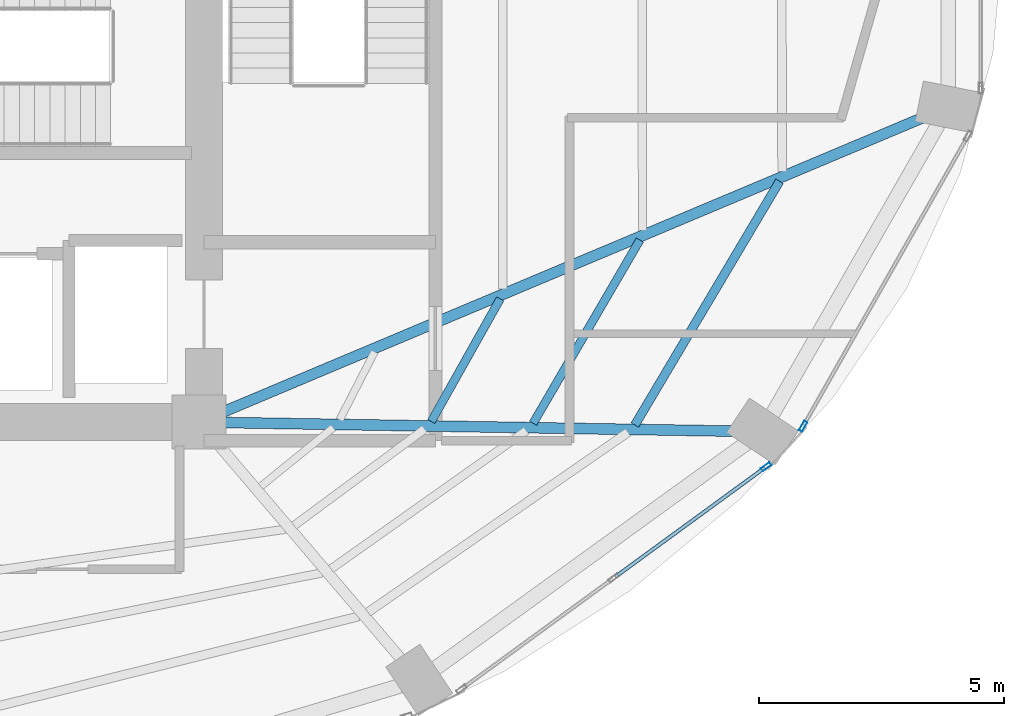
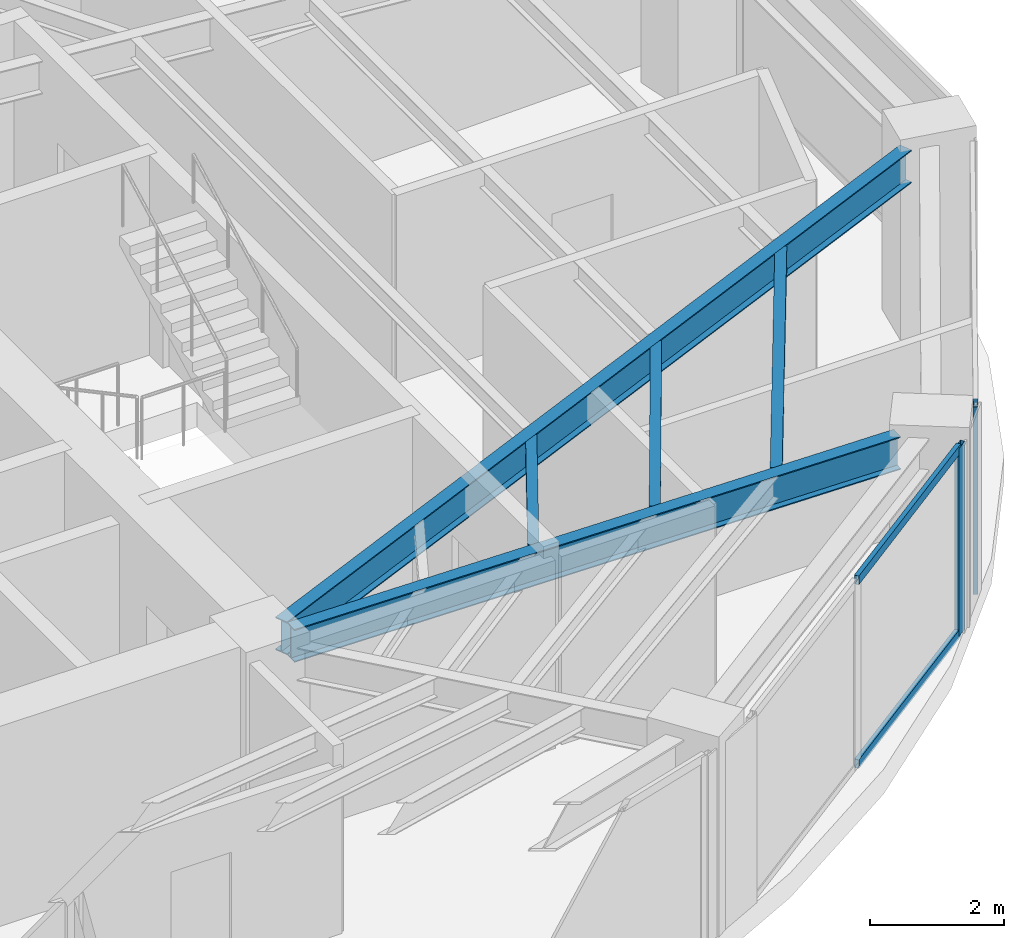
# One storey, part 11 of 23: 5 beams, 4 members, 2 elements without a shape of their own.
"""IFC4 building model written with IfcOpenShell, lengths in metres."""

from ifc_helpers import new_model, si_unit, direction, frame, origin, origin_2d, place, context, subcontext, project, spatial, hollow_rectangle, i_section, extrude, material, layer, layer_set, material_profile, profile_set, type_object, element, aggregate, save


model = new_model("IFC4")

# Units and contexts
model_context = context("Model", 3, precision=1e-05, world=origin(), true_north=direction((0.0, 1.0)))
body_context = subcontext(model_context, "Body", "Model", "MODEL_VIEW")
ifc_project = project(units=[si_unit("LENGTHUNIT", "METRE"), si_unit("AREAUNIT", "SQUARE_METRE"), si_unit("VOLUMEUNIT", "CUBIC_METRE"), si_unit("PLANEANGLEUNIT", "RADIAN"), si_unit("MASSUNIT", "GRAM", prefix="KILO")], contexts=[model_context])

# Site, building, storey
site_placement = place(None, origin())
site = spatial("IfcSite", under=ifc_project, at=site_placement, CompositionType="ELEMENT")
building_placement = place(site_placement, origin())
building = spatial("IfcBuilding", under=site, at=building_placement, Name="Lazwardi Medical Tower", CompositionType="ELEMENT")
storey_placement = place(building_placement, frame((0.0, 0.0, 81.743896484375)))
storey = spatial("IfcBuildingStorey", under=building, at=storey_placement, Name="L20", CompositionType="ELEMENT", Elevation=81.743896484375)

# Beams
ifc_material_1 = material(Name="Steel S355", Category="steel")
ifc_material_profile_1 = material_profile(ifc_material_1, i_section(OverallWidth=0.219970703125, OverallDepth=0.60009765625, WebThickness=0.011962890625, FlangeThickness=0.01904296875, at=origin_2d()), Name="IPE 600")
ifc_profile_set_1 = profile_set([ifc_material_profile_1], Name="Steel S355")
beam_type_1 = type_object("IfcBeamType", Name="BM-RG-W1", PredefinedType="BEAM", material=ifc_profile_set_1)
beam_1_placement = place(storey_placement, frame((56.497802734375, 20.215087890625, 3.128173828125), z_axis=(-0.99985616395, 0.016960289263, 0.0), x_axis=(-0.016960289263, -0.99985616395, 0.0)))
element("IfcBeam", 1, at=beam_1_placement, inside=storey, type_object=beam_type_1, Name="Radial girder RG-02 R03 L20", PredefinedType="BEAM", context=body_context, shape_type="SweptSolid", body=[
    extrude(i_section(OverallWidth=0.219970703125, OverallDepth=0.60009765625, WebThickness=0.011962890625, FlangeThickness=0.01904296875, at=origin_2d()), origin(), (0.0, 0.0, 1.0), 10.3642578125),
])
beam_2_placement = place(storey_placement, frame((60.328369140625, 26.59521484375, 3.128173828125), z_axis=(-0.921775176005, -0.38772480563, 0.0), x_axis=(0.38772480563, -0.921775176005, 0.0)))
element("IfcBeam", 2, at=beam_2_placement, inside=storey, type_object=beam_type_1, Name="Radial girder RG-02 R04 L20", PredefinedType="BEAM", context=body_context, shape_type="SweptSolid", body=[
    extrude(i_section(OverallWidth=0.219970703125, OverallDepth=0.60009765625, WebThickness=0.011962890625, FlangeThickness=0.01904296875, at=origin_2d()), origin(), (0.0, 0.0, 1.0), 15.443359375),
])
ifc_material_profile_2 = material_profile(ifc_material_1, i_section(OverallWidth=0.179931640625, OverallDepth=0.39990234375, WebThickness=0.008544921875, FlangeThickness=0.013427734375, at=origin_2d()), Name="IPE 400")
ifc_profile_set_2 = profile_set([ifc_material_profile_2], Name="Steel S355")
beam_type_2 = type_object("IfcBeamType", Name="BM-SJ-01", PredefinedType="JOIST", material=ifc_profile_set_2)
beam_3_placement = place(storey_placement, frame((54.47900390625, 20.340576171875, 3.22802734375), z_axis=(0.510499691073, 0.859877936346, 0.0), x_axis=(-0.859877936346, 0.510499691073, 0.0)))
element("IfcBeam", 3, at=beam_3_placement, inside=storey, type_object=beam_type_2, Name="Secondary joist SJ-01 R1 B03 L20", PredefinedType="JOIST", context=body_context, shape_type="SweptSolid", body=[
    extrude(i_section(OverallWidth=0.179931640625, OverallDepth=0.39990234375, WebThickness=0.008544921875, FlangeThickness=0.013427734375, at=origin_2d()), origin(), (0.0, 0.0, 1.0), 5.776123046875),
])
ifc_material_profile_3 = material_profile(ifc_material_1, i_section(OverallWidth=0.169921875, OverallDepth=0.360107421875, WebThickness=0.008056640625, FlangeThickness=0.0126953125, at=origin_2d()), Name="IPE 360")
ifc_profile_set_3 = profile_set([ifc_material_profile_3], Name="Steel S355")
beam_type_3 = type_object("IfcBeamType", Name="BM-SJ-02", PredefinedType="JOIST", material=ifc_profile_set_3)
beam_4_placement = place(storey_placement, frame((52.405517578125, 20.376220703125, 3.248046875), z_axis=(0.503544274258, 0.86396942299, 0.0), x_axis=(-0.86396942299, 0.503544274258, 0.0)))
element("IfcBeam", 4, at=beam_4_placement, inside=storey, type_object=beam_type_3, Name="Secondary joist SJ-02 R2 B03 L20", PredefinedType="JOIST", context=body_context, shape_type="SweptSolid", body=[
    extrude(i_section(OverallWidth=0.169921875, OverallDepth=0.360107421875, WebThickness=0.008056640625, FlangeThickness=0.0126953125, at=origin_2d()), origin(), (0.0, 0.0, 1.0), 4.321044921875),
])
beam_5_placement = place(storey_placement, frame((50.33154296875, 20.412109375, 3.248046875), z_axis=(0.489860824278, 0.871800649711, 0.0), x_axis=(-0.871800649711, 0.489860824278, 0.0)))
element("IfcBeam", 5, at=beam_5_placement, inside=storey, type_object=beam_type_3, Name="Secondary joist SJ-02 R3 B03 L20", PredefinedType="JOIST", context=body_context, shape_type="SweptSolid", body=[
    extrude(i_section(OverallWidth=0.169921875, OverallDepth=0.360107421875, WebThickness=0.008056640625, FlangeThickness=0.0126953125, at=origin_2d()), origin(), (0.0, 0.0, 1.0), 2.8662109375),
])

# Curtain wall, member
ifc_material_2 = material(Name="Anodised bronze aluminium and solar control glazing", Category="aluminium")
ifc_layer = layer(ifc_material_2, 0.195068359375)
ifc_layer_set = layer_set([ifc_layer], Name="Anodised bronze aluminium and solar control glazing")
curtain_wall_type = type_object("IfcCurtainWallType", Name="CW-SYS-03", PredefinedType="NOTDEFINED", material=ifc_layer_set)
curtain_wall_1_placement = place(storey_placement, origin())
curtain_wall_1 = element("IfcCurtainWall", 6, at=curtain_wall_1_placement, inside=storey, type_object=curtain_wall_type, Name="L20 Unitised bronze curtain wall CW-03", PredefinedType="NOTDEFINED")
ifc_material_3 = material(Name="Anodised bronze aluminium", Category="aluminium")
ifc_material_profile_4 = material_profile(ifc_material_3, hollow_rectangle(XDim=0.074951171875, YDim=0.219970703125, WallThickness=0.00390625, at=origin_2d()), Name="ALU-MULLION 220x75x4")
ifc_profile_set_4 = profile_set([ifc_material_profile_4], Name="Anodised bronze aluminium")
member_type_1 = type_object("IfcMemberType", Name="CW-MUL-01", PredefinedType="MULLION", material=ifc_profile_set_4)
member_1_placement = place(storey_placement, frame((57.155029296875, 19.4912109375, 0.0), z_axis=(0.0, 0.0, 1.0), x_axis=(-0.589530882802, 0.807745837639, 0.0)))
member_1 = element("IfcMember", 7, at=member_1_placement, type_object=member_type_1, Name="CW-03 mullion 3", PredefinedType="MULLION", context=body_context, shape_type="SweptSolid", body=[
    extrude(hollow_rectangle(XDim=0.074951171875, YDim=0.219970703125, WallThickness=0.00390625, at=origin_2d()), origin(), (0.0, 0.0, 1.0), 3.42822265625),
])

curtain_wall_2_placement = place(storey_placement, origin())
curtain_wall_2 = element("IfcCurtainWall", 8, at=curtain_wall_2_placement, inside=storey, type_object=curtain_wall_type, Name="L20 Unitised bronze curtain wall CW-03", PredefinedType="NOTDEFINED")
member_2_placement = place(storey_placement, frame((57.9072265625, 20.314208984375, 0.0), z_axis=(0.0, 0.0, 1.0), x_axis=(-0.869687265712, 0.493603140041, 0.0)))
member_2 = element("IfcMember", 9, at=member_2_placement, type_object=member_type_1, Name="CW-03 mullion 1", PredefinedType="MULLION", context=body_context, shape_type="SweptSolid", body=[
    extrude(hollow_rectangle(XDim=0.074951171875, YDim=0.219970703125, WallThickness=0.00390625, at=origin_2d()), origin(), (0.0, 0.0, 1.0), 3.42822265625),
])
aggregate(curtain_wall_2, [member_2])

# Member
ifc_material_profile_5 = material_profile(ifc_material_3, hollow_rectangle(XDim=0.074951171875, YDim=0.159912109375, WallThickness=0.00390625, at=origin_2d()), Name="ALU-TRANSOM 160x75x4")
ifc_profile_set_5 = profile_set([ifc_material_profile_5], Name="Anodised bronze aluminium")
member_type_2 = type_object("IfcMemberType", Name="CW-TRN-01", PredefinedType="USERDEFINED", material=ifc_profile_set_5)
member_3_placement = place(storey_placement, frame((54.081298828125, 17.247802734375, 0.03759765625), z_axis=(0.807731734271, 0.589550206049, 0.0), x_axis=(-0.589550206049, 0.807731734271, 0.0)))
member_3 = element("IfcMember", 10, at=member_3_placement, type_object=member_type_2, Name="CW-03 transom 2.1", ObjectType="TRANSOM", PredefinedType="USERDEFINED", context=body_context, shape_type="SweptSolid", body=[
    extrude(hollow_rectangle(XDim=0.074951171875, YDim=0.159912109375, WallThickness=0.00390625, at=origin_2d()), origin(), (0.0, 0.0, 1.0), 3.767578125),
])

member_4_placement = place(storey_placement, frame((54.081298828125, 17.247802734375, 3.390625), z_axis=(0.807731734271, 0.589550206049, 0.0), x_axis=(-0.589550206049, 0.807731734271, 0.0)))
member_4 = element("IfcMember", 11, at=member_4_placement, type_object=member_type_2, Name="CW-03 transom 2.2", ObjectType="TRANSOM", PredefinedType="USERDEFINED", context=body_context, shape_type="SweptSolid", body=[
    extrude(hollow_rectangle(XDim=0.074951171875, YDim=0.159912109375, WallThickness=0.00390625, at=origin_2d()), origin(), (0.0, 0.0, 1.0), 3.767578125),
])

aggregate(curtain_wall_1, [member_1, member_3, member_4])

save(model, "model.ifc")
